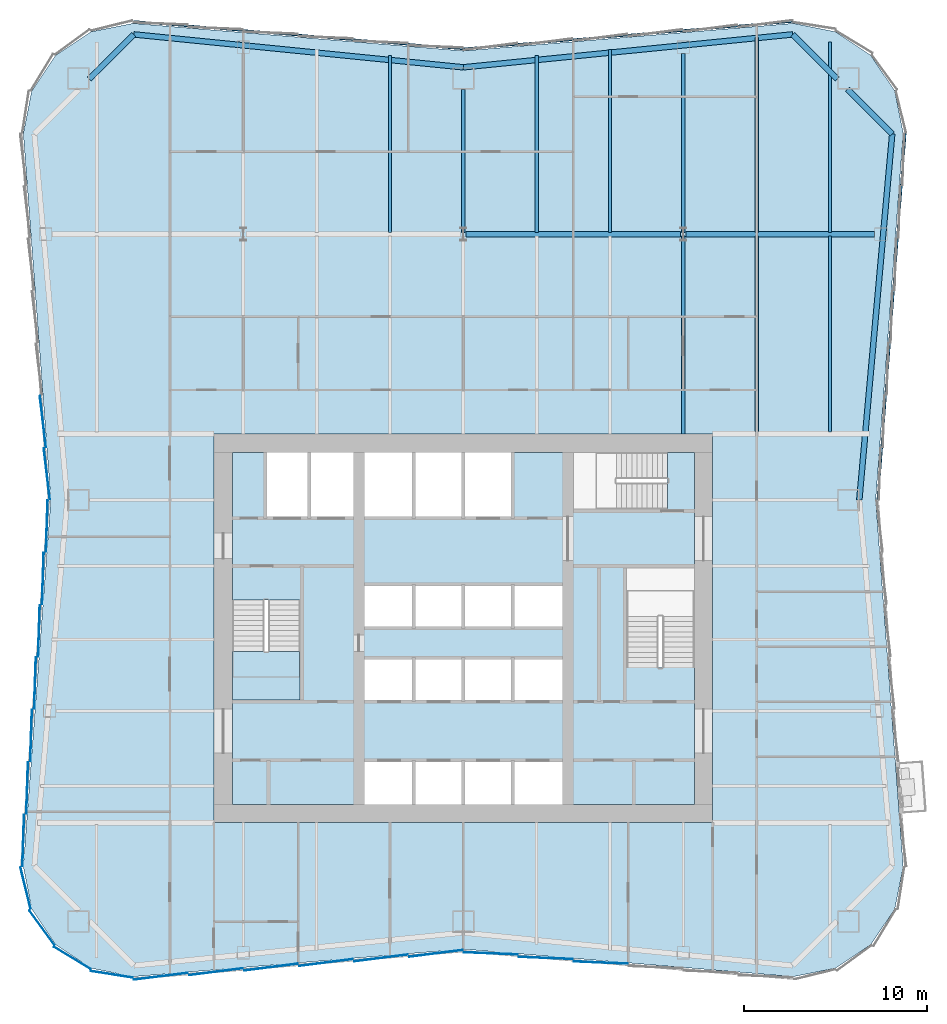
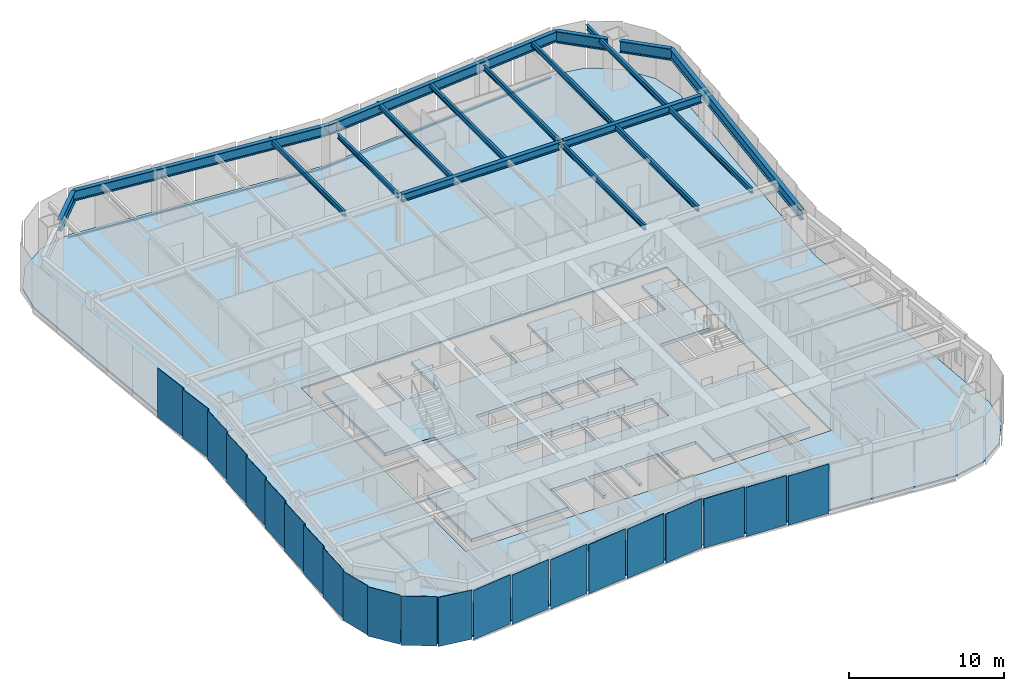
# One storey, part 2 of 9: 22 plates, 18 beams, 3 members, 3 slabs, 6 elements without a shape of their own.
"""IFC4 building model written with IfcOpenShell, lengths in metres."""

from ifc_helpers import new_model, si_unit, direction, frame, origin, origin_2d, place, context, subcontext, project, spatial, polyline, rectangle, i_section, outline, extrude, material, layer, layer_set, material_profile, profile_set, type_object, element, aggregate, save


model = new_model("IFC4")

# Units and contexts
model_context = context("Model", 3, precision=1e-05, world=origin(), true_north=direction((0.0, 1.0)))
body_context = subcontext(model_context, "Body", "Model", "MODEL_VIEW")
ifc_project = project(units=[si_unit("LENGTHUNIT", "METRE"), si_unit("AREAUNIT", "SQUARE_METRE"), si_unit("VOLUMEUNIT", "CUBIC_METRE"), si_unit("PLANEANGLEUNIT", "RADIAN"), si_unit("MASSUNIT", "GRAM", prefix="KILO")], contexts=[model_context])

# Site, building, storey
site_placement = place(None, origin())
site = spatial("IfcSite", under=ifc_project, at=site_placement, CompositionType="ELEMENT")
building_placement = place(site_placement, origin())
building = spatial("IfcBuilding", under=site, at=building_placement, Name="Verdant Reach Tower", CompositionType="ELEMENT")
storey_placement = place(building_placement, frame((0.0, 0.0, 142.0)))
storey = spatial("IfcBuildingStorey", under=building, at=storey_placement, Name="L32", CompositionType="ELEMENT", Elevation=142.0)

# Curtain wall, member
ifc_material_1 = material(Name="Anodised aluminium", Category="aluminium")
curtain_wall_type = type_object("IfcCurtainWallType", Name="EN-CW SYSTEM Z2", PredefinedType="NOTDEFINED", material=ifc_material_1)
curtain_wall_1_placement = place(storey_placement, origin())
curtain_wall_1 = element("IfcCurtainWall", 1, at=curtain_wall_1_placement, inside=storey, type_object=curtain_wall_type, Name="Curtain wall east, L32", PredefinedType="NOTDEFINED")
ifc_material_profile_1 = material_profile(ifc_material_1, rectangle(XDim=0.10009765625, YDim=0.1240234375, at=origin_2d()), Name="Transom 124x100")
ifc_profile_set_1 = profile_set([ifc_material_profile_1], Name="Anodised aluminium")
member_type = type_object("IfcMemberType", Name="EN-TRANSOM Z2", PredefinedType="USERDEFINED", material=ifc_profile_set_1)
member_1_placement = place(storey_placement, frame((22.6083984375, 35.031982421875, -0.2880859375), z_axis=(0.07476111665, 0.997201471839, 0.0), x_axis=(-0.997201471839, 0.07476111665, 0.0)))
member_1 = element("IfcMember", 2, at=member_1_placement, type_object=member_type, Name="Transom east face part 2 1.1, L32", ObjectType="TRANSOM", PredefinedType="USERDEFINED", context=body_context, shape_type="SweptSolid", body=[
    extrude(rectangle(XDim=0.10009765625, YDim=0.1240234375, at=origin_2d()), origin(), (0.0, 0.0, 1.0), 19.99853515625),
])
aggregate(curtain_wall_1, [member_1])

# Curtain wall, members
curtain_wall_2_placement = place(storey_placement, origin())
curtain_wall_2 = element("IfcCurtainWall", 3, at=curtain_wall_2_placement, inside=storey, type_object=curtain_wall_type, Name="Curtain wall north, L32", PredefinedType="NOTDEFINED")
member_2_placement = place(storey_placement, frame((17.97412109375, 61.103271484375, -0.2880859375), z_axis=(-0.996548282776, -0.083015179915, 0.0), x_axis=(0.083015179915, -0.996548282776, 0.0)))
member_2 = element("IfcMember", 4, at=member_2_placement, type_object=member_type, Name="Transom north face part 1 1.1, L32", ObjectType="TRANSOM", PredefinedType="USERDEFINED", context=body_context, shape_type="SweptSolid", body=[
    extrude(rectangle(XDim=0.10009765625, YDim=0.1240234375, at=origin_2d()), origin(), (0.0, 0.0, 1.0), 18.00439453125),
])
member_3_placement = place(storey_placement, frame((-0.031982421875, 59.608642578125, -0.2880859375), z_axis=(-0.996548282776, 0.083015179915, 0.0), x_axis=(-0.083015179915, -0.996548282776, 0.0)))
member_3 = element("IfcMember", 5, at=member_3_placement, type_object=member_type, Name="Transom north face part 2 1.1, L32", ObjectType="TRANSOM", PredefinedType="USERDEFINED", context=body_context, shape_type="SweptSolid", body=[
    extrude(rectangle(XDim=0.10009765625, YDim=0.1240234375, at=origin_2d()), origin(), (0.0, 0.0, 1.0), 18.00439453125),
])
aggregate(curtain_wall_2, [member_2, member_3])

# Beams
ifc_material_2 = material(Name="Steel S355", Category="steel")
ifc_material_profile_2 = material_profile(ifc_material_2, i_section(OverallWidth=0.300048828125, OverallDepth=0.60009765625, WebThickness=0.015380859375, FlangeThickness=0.030029296875, FilletRadius=0.027099609375, at=origin_2d()), Name="HEB 600")
ifc_profile_set_2 = profile_set([ifc_material_profile_2], Name="Steel S355")
beam_type_1 = type_object("IfcBeamType", Name="ST-BEAM-HEB600", PredefinedType="BEAM", material=ifc_profile_set_2)
beam_1_placement = place(storey_placement, frame((0.154052734375, 49.5, 3.570068359375), z_axis=(1.0, 0.0, 0.0), x_axis=(0.0, 1.0, 0.0)))
element("IfcBeam", 6, at=beam_1_placement, inside=storey, type_object=beam_type_1, Name="Row girder, L32", PredefinedType="BEAM", context=body_context, shape_type="SweptSolid", body=[
    extrude(i_section(OverallWidth=0.300048828125, OverallDepth=0.60009765625, WebThickness=0.015380859375, FlangeThickness=0.030029296875, FilletRadius=0.027099609375, at=origin_2d()), origin(), (0.0, 0.0, 1.0), 11.69189453125),
])
beam_2_placement = place(storey_placement, frame((12.154052734375, 49.5, 3.570068359375), z_axis=(1.0, 0.0, 0.0), x_axis=(0.0, 1.0, 0.0)))
element("IfcBeam", 7, at=beam_2_placement, inside=storey, type_object=beam_type_1, Name="Row girder, L32", PredefinedType="BEAM", context=body_context, shape_type="SweptSolid", body=[
    extrude(i_section(OverallWidth=0.300048828125, OverallDepth=0.60009765625, WebThickness=0.015380859375, FlangeThickness=0.030029296875, FilletRadius=0.027099609375, at=origin_2d()), origin(), (0.0, 0.0, 1.0), 10.283447265625),
])
ifc_material_profile_3 = material_profile(ifc_material_2, i_section(OverallWidth=0.169921875, OverallDepth=0.360107421875, WebThickness=0.008056640625, FlangeThickness=0.0126953125, FilletRadius=0.01806640625, at=origin_2d()), Name="IPE 360")
ifc_profile_set_3 = profile_set([ifc_material_profile_3], Name="Steel S355")
beam_type_2 = type_object("IfcBeamType", Name="ST-JOIST-IPE360", PredefinedType="JOIST", material=ifc_profile_set_3)
beam_3_placement = place(storey_placement, frame((0.0, 49.60009765625, 3.68994140625), z_axis=(0.0, 1.0, 0.0), x_axis=(-1.0, 0.0, 0.0)))
element("IfcBeam", 8, at=beam_3_placement, inside=storey, type_object=beam_type_2, Name="Floor joist, L32", PredefinedType="JOIST", context=body_context, shape_type="SweptSolid", body=[
    extrude(i_section(OverallWidth=0.169921875, OverallDepth=0.360107421875, WebThickness=0.008056640625, FlangeThickness=0.0126953125, FilletRadius=0.01806640625, at=origin_2d()), origin(), (0.0, 0.0, 1.0), 7.7998046875),
])
ifc_material_profile_4 = material_profile(ifc_material_2, i_section(OverallWidth=0.179931640625, OverallDepth=0.39990234375, WebThickness=0.008544921875, FlangeThickness=0.013427734375, FilletRadius=0.02099609375, at=origin_2d()), Name="IPE 400")
ifc_profile_set_4 = profile_set([ifc_material_profile_4], Name="Steel S355")
beam_type_3 = type_object("IfcBeamType", Name="ST-JOIST-IPE400", PredefinedType="JOIST", material=ifc_profile_set_4)
for number, where, z_axis, x_axis, name in (
    (9, (-4.0, 49.60009765625, 3.669921875), (0.0, 1.0, 0.0), (-1.0, 0.0, 0.0), "Floor joist, L32"),
    (10, (4.0, 49.60009765625, 3.669921875), (0.0, 1.0, 0.0), (-1.0, 0.0, 0.0), "Floor joist, L32"),
):
    element("IfcBeam", number, at=place(storey_placement, frame(where, z_axis=z_axis, x_axis=x_axis)), inside=storey, type_object=beam_type_3, Name=name, PredefinedType="JOIST", context=body_context, shape_type="SweptSolid", body=[
        extrude(i_section(OverallWidth=0.179931640625, OverallDepth=0.39990234375, WebThickness=0.008544921875, FlangeThickness=0.013427734375, FilletRadius=0.02099609375, at=origin_2d()), origin(), (0.0, 0.0, 1.0), 9.631103515625),
    ])
beam_4_placement = place(storey_placement, frame((8.0, 49.60009765625, 3.669921875), z_axis=(0.0, 1.0, 0.0), x_axis=(-1.0, 0.0, 0.0)))
element("IfcBeam", 11, at=beam_4_placement, inside=storey, type_object=beam_type_3, Name="Floor joist, L32", PredefinedType="JOIST", context=body_context, shape_type="SweptSolid", body=[
    extrude(i_section(OverallWidth=0.179931640625, OverallDepth=0.39990234375, WebThickness=0.008544921875, FlangeThickness=0.013427734375, FilletRadius=0.02099609375, at=origin_2d()), origin(), (0.0, 0.0, 1.0), 9.964599609375),
])
beam_5_placement = place(storey_placement, frame((12.0, 38.60009765625, 3.669921875), z_axis=(0.0, 1.0, 0.0), x_axis=(-1.0, 0.0, 0.0)))
element("IfcBeam", 12, at=beam_5_placement, inside=storey, type_object=beam_type_3, Name="Floor joist, L32", PredefinedType="JOIST", context=body_context, shape_type="SweptSolid", body=[
    extrude(i_section(OverallWidth=0.179931640625, OverallDepth=0.39990234375, WebThickness=0.008544921875, FlangeThickness=0.013427734375, FilletRadius=0.02099609375, at=origin_2d()), origin(), (0.0, 0.0, 1.0), 10.7998046875),
])
beam_6_placement = place(storey_placement, frame((12.0, 49.60009765625, 3.669921875), z_axis=(0.0, 1.0, 0.0), x_axis=(-1.0, 0.0, 0.0)))
element("IfcBeam", 13, at=beam_6_placement, inside=storey, type_object=beam_type_3, Name="Floor joist, L32", PredefinedType="JOIST", context=body_context, shape_type="SweptSolid", body=[
    extrude(i_section(OverallWidth=0.179931640625, OverallDepth=0.39990234375, WebThickness=0.008544921875, FlangeThickness=0.013427734375, FilletRadius=0.02099609375, at=origin_2d()), origin(), (0.0, 0.0, 1.0), 9.75),
])
beam_7_placement = place(storey_placement, frame((16.0, 38.699951171875, 3.669921875), z_axis=(0.0, 1.0, 0.0), x_axis=(-1.0, 0.0, 0.0)))
element("IfcBeam", 14, at=beam_7_placement, inside=storey, type_object=beam_type_3, Name="Floor joist, L32", PredefinedType="JOIST", context=body_context, shape_type="SweptSolid", body=[
    extrude(i_section(OverallWidth=0.179931640625, OverallDepth=0.39990234375, WebThickness=0.008544921875, FlangeThickness=0.013427734375, FilletRadius=0.02099609375, at=origin_2d()), origin(), (0.0, 0.0, 1.0), 10.699951171875),
])
beam_8_placement = place(storey_placement, frame((16.0, 49.60009765625, 3.669921875), z_axis=(0.0, 1.0, 0.0), x_axis=(-1.0, 0.0, 0.0)))
element("IfcBeam", 15, at=beam_8_placement, inside=storey, type_object=beam_type_3, Name="Floor joist, L32", PredefinedType="JOIST", context=body_context, shape_type="SweptSolid", body=[
    extrude(i_section(OverallWidth=0.179931640625, OverallDepth=0.39990234375, WebThickness=0.008544921875, FlangeThickness=0.013427734375, FilletRadius=0.02099609375, at=origin_2d()), origin(), (0.0, 0.0, 1.0), 10.631103515625),
])
beam_9_placement = place(storey_placement, frame((20.0, 38.699951171875, 3.669921875), z_axis=(0.0, 1.0, 0.0), x_axis=(-1.0, 0.0, 0.0)))
element("IfcBeam", 16, at=beam_9_placement, inside=storey, type_object=beam_type_3, Name="Floor joist, L32", PredefinedType="JOIST", context=body_context, shape_type="SweptSolid", body=[
    extrude(i_section(OverallWidth=0.179931640625, OverallDepth=0.39990234375, WebThickness=0.008544921875, FlangeThickness=0.013427734375, FilletRadius=0.02099609375, at=origin_2d()), origin(), (0.0, 0.0, 1.0), 10.699951171875),
])
beam_10_placement = place(storey_placement, frame((20.0, 49.60009765625, 3.669921875), z_axis=(0.0, 1.0, 0.0), x_axis=(-1.0, 0.0, 0.0)))
element("IfcBeam", 17, at=beam_10_placement, inside=storey, type_object=beam_type_3, Name="Floor joist, L32", PredefinedType="JOIST", context=body_context, shape_type="SweptSolid", body=[
    extrude(i_section(OverallWidth=0.179931640625, OverallDepth=0.39990234375, WebThickness=0.008544921875, FlangeThickness=0.013427734375, FilletRadius=0.02099609375, at=origin_2d()), origin(), (0.0, 0.0, 1.0), 10.390380859375),
])
ifc_material_profile_5 = material_profile(ifc_material_2, i_section(OverallWidth=0.300048828125, OverallDepth=0.800048828125, WebThickness=0.017578125, FlangeThickness=0.032958984375, FilletRadius=0.030029296875, at=origin_2d()), Name="HEB 800")
ifc_profile_set_5 = profile_set([ifc_material_profile_5], Name="Steel S355")
beam_type_4 = type_object("IfcBeamType", Name="ST-SPANDREL-HEB800", PredefinedType="SPANDREL", material=ifc_profile_set_5)
for number, where, z_axis, x_axis, name in (
    (18, (-17.9658203125, 60.39501953125, 3.469970703125), (0.995046289869, -0.099412680371, 0.0), (0.099412680371, 0.995046289869, 0.0), "Edge beam, L32"),
    (19, (0.0, 58.60009765625, 3.469970703125), (0.995046289869, 0.099412680371, 0.0), (-0.099412680371, 0.995046289869, 0.0), "Edge beam, L32"),
):
    element("IfcBeam", number, at=place(storey_placement, frame(where, z_axis=z_axis, x_axis=x_axis)), inside=storey, type_object=beam_type_4, Name=name, PredefinedType="SPANDREL", context=body_context, shape_type="SweptSolid", body=[
        extrude(i_section(OverallWidth=0.300048828125, OverallDepth=0.800048828125, WebThickness=0.017578125, FlangeThickness=0.032958984375, FilletRadius=0.030029296875, at=origin_2d()), origin(), (0.0, 0.0, 1.0), 18.05517578125),
    ])
beam_11_placement = place(storey_placement, frame((23.3955078125, 54.963134765625, 3.469970703125), z_axis=(-0.089574749266, -0.995980102358, 0.0), x_axis=(0.995980102358, -0.089574749266, 0.0)))
element("IfcBeam", 20, at=beam_11_placement, inside=storey, type_object=beam_type_4, Name="Edge beam, L32", PredefinedType="SPANDREL", context=body_context, shape_type="SweptSolid", body=[
    extrude(i_section(OverallWidth=0.300048828125, OverallDepth=0.800048828125, WebThickness=0.017578125, FlangeThickness=0.032958984375, FilletRadius=0.030029296875, at=origin_2d()), origin(), (0.0, 0.0, 1.0), 20.043701171875),
])
ifc_material_profile_6 = material_profile(ifc_material_2, i_section(OverallWidth=0.302001953125, OverallDepth=0.909912109375, WebThickness=0.02099609375, FlangeThickness=0.0400390625, FilletRadius=0.030029296875, at=origin_2d()), Name="HEM 900")
ifc_profile_set_6 = profile_set([ifc_material_profile_6], Name="Steel S355")
beam_type_5 = type_object("IfcBeamType", Name="ST-SPANDREL-HEM900", PredefinedType="SPANDREL", material=ifc_profile_set_6)
for number, where, z_axis, x_axis, name in (
    (21, (-20.39990234375, 57.9599609375, 3.4150390625), (0.70696494852, 0.70724858541, 0.0), (-0.70724858541, 0.70696494852, 0.0), "Edge beam, L32"),
    (22, (17.9658203125, 60.39501953125, 3.4150390625), (0.70696494852, -0.70724858541, 0.0), (0.70724858541, 0.70696494852, 0.0), "Edge beam, L32"),
):
    element("IfcBeam", number, at=place(storey_placement, frame(where, z_axis=z_axis, x_axis=x_axis)), inside=storey, type_object=beam_type_5, Name=name, PredefinedType="SPANDREL", context=body_context, shape_type="SweptSolid", body=[
        extrude(i_section(OverallWidth=0.302001953125, OverallDepth=0.909912109375, WebThickness=0.02099609375, FlangeThickness=0.0400390625, FilletRadius=0.030029296875, at=origin_2d()), origin(), (0.0, 0.0, 1.0), 3.443115234375),
    ])
beam_12_placement = place(storey_placement, frame((20.959716796875, 57.39990234375, 3.4150390625), z_axis=(0.706965048022, -0.707248485948, 0.0), x_axis=(0.707248485948, 0.706965048022, 0.0)))
element("IfcBeam", 23, at=beam_12_placement, inside=storey, type_object=beam_type_5, Name="Edge beam, L32", PredefinedType="SPANDREL", context=body_context, shape_type="SweptSolid", body=[
    extrude(i_section(OverallWidth=0.302001953125, OverallDepth=0.909912109375, WebThickness=0.02099609375, FlangeThickness=0.0400390625, FilletRadius=0.030029296875, at=origin_2d()), origin(), (0.0, 0.0, 1.0), 3.4453125),
])

# Stair, slab
ifc_material_3 = material(Name="Concrete C40/50", Category="concrete")
stair_type = type_object("IfcStairType", Name="CO-STAIR", PredefinedType="HALF_TURN_STAIR", material=ifc_material_3)
stair_placement = place(storey_placement, origin())
stair = element("IfcStair", 24, at=stair_placement, inside=storey, type_object=stair_type, Name="L32 Exit stair 1", PredefinedType="HALF_TURN_STAIR")
ifc_layer_1 = layer(ifc_material_3, 0.199951171875)
ifc_layer_set_1 = layer_set([ifc_layer_1], Name="CO-STAIR-LANDING")
slab_type_1 = type_object("IfcSlabType", Name="CO-STAIR-LANDING", PredefinedType="LANDING", material=ifc_layer_set_1)
slab_1_placement = place(storey_placement, frame((0.0, 0.0, 1.800048828125)))
slab_1 = element("IfcSlab", 25, at=slab_1_placement, type_object=slab_type_1, Name="ST-1 landing 1", PredefinedType="LANDING", context=body_context, shape_type="SweptSolid", body=[
    extrude(outline(polyline([(-12.60009765625, 26.75), (-12.60009765625, 24.10009765625), (-8.89990234375, 24.10009765625), (-8.89990234375, 26.75), (-12.60009765625, 26.75)])), origin(), (0.0, 0.0, 1.0), 0.199951171875),
])
aggregate(stair, [slab_1])

# Curtain wall, plates
curtain_wall_3_placement = place(storey_placement, origin())
curtain_wall_3 = element("IfcCurtainWall", 26, at=curtain_wall_3_placement, inside=storey, type_object=curtain_wall_type, Name="Curtain wall west, L32", PredefinedType="NOTDEFINED")
ifc_material_4 = material(Name="Tinted glass with champagne spandrel", Category="glass")
ifc_layer_2 = layer(ifc_material_4, 0.031982421875)
ifc_layer_set_2 = layer_set([ifc_layer_2], Name="EN-PANEL CHAMPAGNE")
plate_type_1 = type_object("IfcPlateType", Name="EN-PANEL CHAMPAGNE", PredefinedType="CURTAIN_PANEL", material=ifc_layer_set_2)
plate_1_placement = place(storey_placement, frame((-22.92724609375, 39.27783203125, -0.22607421875), z_axis=(0.0, 0.0, 1.0), x_axis=(0.116482717753, -0.993192718693, 0.0)))
plate_1 = element("IfcPlate", 27, at=plate_1_placement, type_object=plate_type_1, Name="Glass panel west face part 1 6.1, L32", PredefinedType="CURTAIN_PANEL", context=body_context, shape_type="SweptSolid", body=[
    extrude(rectangle(XDim=2.80517578125, YDim=0.031982421875, at=origin_2d()), origin(), (0.0, 0.0, 1.0), 3.8759765625),
])
plate_2_placement = place(storey_placement, frame((-22.712890625, 36.424560546875, -0.22607421875), z_axis=(0.0, 0.0, 1.0), x_axis=(0.116585911919, -0.993180610535, 0.0)))
plate_2 = element("IfcPlate", 28, at=plate_2_placement, type_object=plate_type_1, Name="Glass panel west face part 1 7.1, L32", PredefinedType="CURTAIN_PANEL", context=body_context, shape_type="SweptSolid", body=[
    extrude(rectangle(XDim=2.797119140625, YDim=0.031982421875, at=origin_2d()), origin(), (0.0, 0.0, 1.0), 3.8759765625),
])
plate_3_placement = place(storey_placement, frame((-22.712890625, 33.575439453125, -0.22607421875), z_axis=(0.0, 0.0, 1.0), x_axis=(-0.033069817188, -0.999453044015, 0.0)))
plate_3 = element("IfcPlate", 29, at=plate_3_placement, type_object=plate_type_1, Name="Glass panel west face part 2 1.1, L32", PredefinedType="CURTAIN_PANEL", context=body_context, shape_type="SweptSolid", body=[
    extrude(rectangle(XDim=2.797119140625, YDim=0.031982421875, at=origin_2d()), origin(), (0.0, 0.0, 1.0), 3.8759765625),
])
plate_4_placement = place(storey_placement, frame((-23.99853515625, 16.42919921875, -0.22607421875), z_axis=(0.0, 0.0, 1.0), x_axis=(-0.032628234484, -0.99946755741, 0.0)))
plate_4 = element("IfcPlate", 30, at=plate_4_placement, type_object=plate_type_1, Name="Glass panel west face part 2 7.1, L32", PredefinedType="CURTAIN_PANEL", context=body_context, shape_type="SweptSolid", body=[
    extrude(rectangle(XDim=2.819580078125, YDim=0.031982421875, at=origin_2d()), origin(), (0.0, 0.0, 1.0), 3.8759765625),
])

curtain_wall_4_placement = place(storey_placement, origin())
curtain_wall_4 = element("IfcCurtainWall", 31, at=curtain_wall_4_placement, inside=storey, type_object=curtain_wall_type, Name="Curtain wall south, L32", PredefinedType="NOTDEFINED")
plate_5_placement = place(storey_placement, frame((-10.4912109375, 9.519287109375, -0.22607421875), z_axis=(0.0, 0.0, 1.0), x_axis=(0.992194034542, 0.124703639961, 0.0)))
plate_5 = element("IfcPlate", 32, at=plate_5_placement, type_object=plate_type_1, Name="Glass panel south face part 1 3.1, L32", PredefinedType="CURTAIN_PANEL", context=body_context, shape_type="SweptSolid", body=[
    extrude(rectangle(XDim=2.950439453125, YDim=0.031982421875, at=origin_2d()), origin(), (0.0, 0.0, 1.0), 3.8759765625),
])
plate_6_placement = place(storey_placement, frame((-7.4912109375, 9.769287109375, -0.22607421875), z_axis=(0.0, 0.0, 1.0), x_axis=(0.992194034542, 0.124703639961, 0.0)))
plate_6 = element("IfcPlate", 33, at=plate_6_placement, type_object=plate_type_1, Name="Glass panel south face part 1 4.1, L32", PredefinedType="CURTAIN_PANEL", context=body_context, shape_type="SweptSolid", body=[
    extrude(rectangle(XDim=2.950439453125, YDim=0.031982421875, at=origin_2d()), origin(), (0.0, 0.0, 1.0), 3.8759765625),
])
plate_7_placement = place(storey_placement, frame((-4.4912109375, 10.019287109375, -0.22607421875), z_axis=(0.0, 0.0, 1.0), x_axis=(0.992194034542, 0.124703639961, 0.0)))
plate_7 = element("IfcPlate", 34, at=plate_7_placement, type_object=plate_type_1, Name="Glass panel south face part 1 5.1, L32", PredefinedType="CURTAIN_PANEL", context=body_context, shape_type="SweptSolid", body=[
    extrude(rectangle(XDim=2.950439453125, YDim=0.031982421875, at=origin_2d()), origin(), (0.0, 0.0, 1.0), 3.8759765625),
])

# Plate
ifc_material_5 = material(Name="Tinted glass with copper spandrel", Category="glass")
ifc_layer_3 = layer(ifc_material_5, 0.031982421875)
ifc_layer_set_3 = layer_set([ifc_layer_3], Name="EN-PANEL COPPER")
plate_type_2 = type_object("IfcPlateType", Name="EN-PANEL COPPER", PredefinedType="CURTAIN_PANEL", material=ifc_layer_set_3)
plate_8_placement = place(storey_placement, frame((-22.92724609375, 30.72216796875, -0.22607421875), z_axis=(0.0, 0.0, 1.0), x_axis=(-0.032965971753, -0.999456474643, 0.0)))
plate_8 = element("IfcPlate", 35, at=plate_8_placement, type_object=plate_type_2, Name="Glass panel west face part 2 2.1, L32", PredefinedType="CURTAIN_PANEL", context=body_context, shape_type="SweptSolid", body=[
    extrude(rectangle(XDim=2.80517578125, YDim=0.031982421875, at=origin_2d()), origin(), (0.0, 0.0, 1.0), 3.8759765625),
])

plate_9_placement = place(storey_placement, frame((-23.141357421875, 27.864990234375, -0.22607421875), z_axis=(0.0, 0.0, 1.0), x_axis=(-0.032965971753, -0.999456474643, 0.0)))
plate_9 = element("IfcPlate", 36, at=plate_9_placement, type_object=plate_type_2, Name="Glass panel west face part 2 3.1, L32", PredefinedType="CURTAIN_PANEL", context=body_context, shape_type="SweptSolid", body=[
    extrude(rectangle(XDim=2.80517578125, YDim=0.031982421875, at=origin_2d()), origin(), (0.0, 0.0, 1.0), 3.8759765625),
])

plate_10_placement = place(storey_placement, frame((-23.355712890625, 25.0078125, -0.22607421875), z_axis=(0.0, 0.0, 1.0), x_axis=(-0.032965971753, -0.999456474643, 0.0)))
plate_10 = element("IfcPlate", 37, at=plate_10_placement, type_object=plate_type_2, Name="Glass panel west face part 2 4.1, L32", PredefinedType="CURTAIN_PANEL", context=body_context, shape_type="SweptSolid", body=[
    extrude(rectangle(XDim=2.80517578125, YDim=0.031982421875, at=origin_2d()), origin(), (0.0, 0.0, 1.0), 3.8759765625),
])

# Curtain wall, plates
curtain_wall_5_placement = place(storey_placement, origin())
curtain_wall_5 = element("IfcCurtainWall", 38, at=curtain_wall_5_placement, inside=storey, type_object=curtain_wall_type, Name="Curtain wall south-west corner, L32", PredefinedType="NOTDEFINED")
plate_11_placement = place(storey_placement, frame((-23.87353515625, 13.828369140625, -0.22607421875), z_axis=(0.0, 0.0, 1.0), x_axis=(0.236416170006, -0.971651889598, 0.0)))
plate_11 = element("IfcPlate", 39, at=plate_11_placement, type_object=plate_type_2, Name="Glass panel south-west corner 1.1, L32", PredefinedType="CURTAIN_PANEL", context=body_context, shape_type="SweptSolid", body=[
    extrude(rectangle(XDim=2.316162109375, YDim=0.031982421875, at=origin_2d()), origin(), (0.0, 0.0, 1.0), 3.8759765625),
])
plate_12_placement = place(storey_placement, frame((-22.9794921875, 11.6728515625, -0.22607421875), z_axis=(0.0, 0.0, 1.0), x_axis=(0.589926757843, -0.807456760688, 0.0)))
plate_12 = element("IfcPlate", 40, at=plate_12_placement, type_object=plate_type_2, Name="Glass panel south-west corner 2.1, L32", PredefinedType="CURTAIN_PANEL", context=body_context, shape_type="SweptSolid", body=[
    extrude(rectangle(XDim=2.322509765625, YDim=0.031982421875, at=origin_2d()), origin(), (0.0, 0.0, 1.0), 3.8759765625),
])

# Plate
plate_13_placement = place(storey_placement, frame((-1.49560546875, 10.269287109375, -0.22607421875), z_axis=(0.0, 0.0, 1.0), x_axis=(0.992178815188, 0.12482467181, 0.0)))
plate_13 = element("IfcPlate", 41, at=plate_13_placement, type_object=plate_type_2, Name="Glass panel south face part 1 6.1, L32", PredefinedType="CURTAIN_PANEL", context=body_context, shape_type="SweptSolid", body=[
    extrude(rectangle(XDim=2.941650390625, YDim=0.031982421875, at=origin_2d()), origin(), (0.0, 0.0, 1.0), 3.8759765625),
])

plate_14_placement = place(storey_placement, frame((1.49560546875, 10.269287109375, -0.22607421875), z_axis=(0.0, 0.0, 1.0), x_axis=(0.999144163765, -0.041363510662, 0.0)))
plate_14 = element("IfcPlate", 42, at=plate_14_placement, type_object=plate_type_2, Name="Glass panel south face part 2 1.1, L32", PredefinedType="CURTAIN_PANEL", context=body_context, shape_type="SweptSolid", body=[
    extrude(rectangle(XDim=2.941650390625, YDim=0.031982421875, at=origin_2d()), origin(), (0.0, 0.0, 1.0), 3.8759765625),
])

ifc_material_6 = material(Name="Tinted glass with dark bronze spandrel", Category="glass")
ifc_layer_4 = layer(ifc_material_6, 0.031982421875)
ifc_layer_set_4 = layer_set([ifc_layer_4], Name="EN-PANEL DARK")
plate_type_3 = type_object("IfcPlateType", Name="EN-PANEL DARK", PredefinedType="CURTAIN_PANEL", material=ifc_layer_set_4)
plate_15_placement = place(storey_placement, frame((-23.570068359375, 22.15087890625, -0.22607421875), z_axis=(0.0, 0.0, 1.0), x_axis=(-0.032965971753, -0.999456474643, 0.0)))
plate_15 = element("IfcPlate", 43, at=plate_15_placement, type_object=plate_type_3, Name="Glass panel west face part 2 5.1, L32", PredefinedType="CURTAIN_PANEL", context=body_context, shape_type="SweptSolid", body=[
    extrude(rectangle(XDim=2.80517578125, YDim=0.031982421875, at=origin_2d()), origin(), (0.0, 0.0, 1.0), 3.8759765625),
])

plate_16_placement = place(storey_placement, frame((-23.7841796875, 19.293701171875, -0.22607421875), z_axis=(0.0, 0.0, 1.0), x_axis=(-0.032965971753, -0.999456474643, 0.0)))
plate_16 = element("IfcPlate", 44, at=plate_16_placement, type_object=plate_type_3, Name="Glass panel west face part 2 6.1, L32", PredefinedType="CURTAIN_PANEL", context=body_context, shape_type="SweptSolid", body=[
    extrude(rectangle(XDim=2.80517578125, YDim=0.031982421875, at=origin_2d()), origin(), (0.0, 0.0, 1.0), 3.8759765625),
])

aggregate(curtain_wall_3, [plate_1, plate_2, plate_3, plate_8, plate_9, plate_10, plate_15, plate_16, plate_4])

plate_17_placement = place(storey_placement, frame((-21.3271484375, 10.0205078125, -0.22607421875), z_axis=(0.0, 0.0, 1.0), x_axis=(0.853988694998, -0.520291561353, 0.0)))
plate_17 = element("IfcPlate", 45, at=plate_17_placement, type_object=plate_type_3, Name="Glass panel south-west corner 3.1, L32", PredefinedType="CURTAIN_PANEL", context=body_context, shape_type="SweptSolid", body=[
    extrude(rectangle(XDim=2.322509765625, YDim=0.031982421875, at=origin_2d()), origin(), (0.0, 0.0, 1.0), 3.8759765625),
])

plate_18_placement = place(storey_placement, frame((-19.17138671875, 9.12646484375, -0.22607421875), z_axis=(0.0, 0.0, 1.0), x_axis=(0.988030887576, -0.154256167447, 0.0)))
plate_18 = element("IfcPlate", 46, at=plate_18_placement, type_object=plate_type_3, Name="Glass panel south-west corner 4.1, L32", PredefinedType="CURTAIN_PANEL", context=body_context, shape_type="SweptSolid", body=[
    extrude(rectangle(XDim=2.31640625, YDim=0.031982421875, at=origin_2d()), origin(), (0.0, 0.0, 1.0), 3.8759765625),
])

aggregate(curtain_wall_5, [plate_11, plate_12, plate_17, plate_18])

plate_19_placement = place(storey_placement, frame((-16.49853515625, 9.019287109375, -0.22607421875), z_axis=(0.0, 0.0, 1.0), x_axis=(0.992236570309, 0.124364739946, 0.0)))
plate_19 = element("IfcPlate", 47, at=plate_19_placement, type_object=plate_type_3, Name="Glass panel south face part 1 1.1, L32", PredefinedType="CURTAIN_PANEL", context=body_context, shape_type="SweptSolid", body=[
    extrude(rectangle(XDim=2.965087890625, YDim=0.031982421875, at=origin_2d()), origin(), (0.0, 0.0, 1.0), 3.8759765625),
])

plate_20_placement = place(storey_placement, frame((-13.4912109375, 9.269287109375, -0.22607421875), z_axis=(0.0, 0.0, 1.0), x_axis=(0.992194034542, 0.124703639961, 0.0)))
plate_20 = element("IfcPlate", 48, at=plate_20_placement, type_object=plate_type_3, Name="Glass panel south face part 1 2.1, L32", PredefinedType="CURTAIN_PANEL", context=body_context, shape_type="SweptSolid", body=[
    extrude(rectangle(XDim=2.950439453125, YDim=0.031982421875, at=origin_2d()), origin(), (0.0, 0.0, 1.0), 3.8759765625),
])

plate_21_placement = place(storey_placement, frame((4.4912109375, 10.019287109375, -0.22607421875), z_axis=(0.0, 0.0, 1.0), x_axis=(0.999149202059, -0.041241629766, 0.0)))
plate_21 = element("IfcPlate", 49, at=plate_21_placement, type_object=plate_type_3, Name="Glass panel south face part 2 2.1, L32", PredefinedType="CURTAIN_PANEL", context=body_context, shape_type="SweptSolid", body=[
    extrude(rectangle(XDim=2.950439453125, YDim=0.031982421875, at=origin_2d()), origin(), (0.0, 0.0, 1.0), 3.8759765625),
])

plate_22_placement = place(storey_placement, frame((7.4912109375, 9.769287109375, -0.22607421875), z_axis=(0.0, 0.0, 1.0), x_axis=(0.999149202059, -0.041241629766, 0.0)))
plate_22 = element("IfcPlate", 50, at=plate_22_placement, type_object=plate_type_3, Name="Glass panel south face part 2 3.1, L32", PredefinedType="CURTAIN_PANEL", context=body_context, shape_type="SweptSolid", body=[
    extrude(rectangle(XDim=2.950439453125, YDim=0.031982421875, at=origin_2d()), origin(), (0.0, 0.0, 1.0), 3.8759765625),
])

aggregate(curtain_wall_4, [plate_19, plate_20, plate_5, plate_6, plate_7, plate_13, plate_14, plate_21, plate_22])

# Slabs
ifc_material_7 = material(Name="Concrete C35/45", Category="concrete")
ifc_layer_5 = layer(ifc_material_7, 0.1298828125)
ifc_layer_set_5 = layer_set([ifc_layer_5], Name="ST-SLAB-130")
slab_type_2 = type_object("IfcSlabType", Name="ST-SLAB-130", PredefinedType="FLOOR", material=ifc_layer_set_5)
slab_2_placement = place(storey_placement, frame((0.0, 0.0, -0.1298828125)))
element("IfcSlab", 51, at=slab_2_placement, inside=storey, type_object=slab_type_2, Name="Floor slab L32", PredefinedType="FLOOR", context=body_context, shape_type="SweptSolid", body=[
    extrude(outline(polyline([(0.0, 10.5), (-18.0, 9.0), (-20.296142578125, 9.456787109375), (-22.24267578125, 10.75732421875), (-23.543212890625, 12.703857421875), (-24.0, 15.0), (-22.5, 35.0), (-24.0, 55.0), (-23.543212890625, 57.296142578125), (-22.24267578125, 59.24267578125), (-20.296142578125, 60.543212890625), (-18.0, 61.0), (0.0, 59.5), (18.0, 61.0), (20.296142578125, 60.543212890625), (22.24267578125, 59.24267578125), (23.543212890625, 57.296142578125), (24.0, 55.0), (22.5, 35.0), (24.0, 15.0), (23.543212890625, 12.703857421875), (22.24267578125, 10.75732421875), (20.296142578125, 9.456787109375), (18.0, 9.0), (0.0, 10.5)]), holes=[polyline([(13.60009765625, 38.60009765625), (-13.60009765625, 38.60009765625), (-13.60009765625, 17.39990234375), (13.60009765625, 17.39990234375), (13.60009765625, 38.60009765625)])]), origin(), (0.0, 0.0, 1.0), 0.1298828125),
])
ifc_layer_6 = layer(ifc_material_7, 0.25)
ifc_layer_set_6 = layer_set([ifc_layer_6], Name="ST-SLAB-250")
slab_type_3 = type_object("IfcSlabType", Name="ST-SLAB-250", PredefinedType="FLOOR", material=ifc_layer_set_6)
slab_3_placement = place(storey_placement, frame((0.0, 0.0, -0.25)))
element("IfcSlab", 52, at=slab_3_placement, inside=storey, type_object=slab_type_3, Name="Core floor slab L32", PredefinedType="FLOOR", context=body_context, shape_type="SweptSolid", body=[
    extrude(outline(polyline([(12.60009765625, 18.39990234375), (5.39990234375, 18.39990234375), (5.39990234375, 20.699951171875), (2.800048828125, 20.699951171875), (2.800048828125, 18.39990234375), (2.60009765625, 18.39990234375), (2.60009765625, 20.699951171875), (0.10009765625, 20.699951171875), (0.10009765625, 18.39990234375), (-0.10009765625, 18.39990234375), (-0.10009765625, 20.699951171875), (-2.60009765625, 20.699951171875), (-2.60009765625, 18.39990234375), (-2.800048828125, 18.39990234375), (-2.800048828125, 20.699951171875), (-5.39990234375, 20.699951171875), (-5.39990234375, 18.39990234375), (-12.60009765625, 18.39990234375), (-12.60009765625, 24.10009765625), (-8.89990234375, 24.10009765625), (-8.89990234375, 29.548095703125), (-12.60009765625, 29.548095703125), (-12.60009765625, 37.60009765625), (-10.699951171875, 37.60009765625), (-10.699951171875, 34.10009765625), (-8.5, 34.10009765625), (-8.5, 37.60009765625), (-8.300048828125, 37.60009765625), (-8.300048828125, 34.10009765625), (-6.0, 34.10009765625), (-6.0, 37.60009765625), (-5.39990234375, 37.60009765625), (-5.39990234375, 34.10009765625), (-2.800048828125, 34.10009765625), (-2.800048828125, 37.60009765625), (-2.60009765625, 37.60009765625), (-2.60009765625, 34.10009765625), (-0.10009765625, 34.10009765625), (-0.10009765625, 37.60009765625), (0.10009765625, 37.60009765625), (0.10009765625, 34.10009765625), (2.60009765625, 34.10009765625), (2.60009765625, 37.60009765625), (6.0, 37.60009765625), (6.0, 34.5), (11.14794921875, 34.5), (11.14794921875, 37.60009765625), (12.60009765625, 37.60009765625), (12.60009765625, 31.300048828125), (8.89990234375, 31.300048828125), (8.89990234375, 25.85205078125), (12.60009765625, 25.85205078125), (12.60009765625, 18.39990234375)]), holes=[polyline([(-2.800048828125, 24.10009765625), (-2.800048828125, 26.300048828125), (-5.39990234375, 26.300048828125), (-5.39990234375, 24.10009765625), (-2.800048828125, 24.10009765625)]), polyline([(-2.60009765625, 24.10009765625), (-0.10009765625, 24.10009765625), (-0.10009765625, 26.300048828125), (-2.60009765625, 26.300048828125), (-2.60009765625, 24.10009765625)]), polyline([(-2.800048828125, 28.10009765625), (-2.800048828125, 30.300048828125), (-5.39990234375, 30.300048828125), (-5.39990234375, 28.10009765625), (-2.800048828125, 28.10009765625)]), polyline([(-0.10009765625, 28.10009765625), (-0.10009765625, 30.300048828125), (-2.60009765625, 30.300048828125), (-2.60009765625, 28.10009765625), (-0.10009765625, 28.10009765625)]), polyline([(2.60009765625, 24.10009765625), (2.60009765625, 26.300048828125), (0.10009765625, 26.300048828125), (0.10009765625, 24.10009765625), (2.60009765625, 24.10009765625)]), polyline([(2.800048828125, 24.10009765625), (5.39990234375, 24.10009765625), (5.39990234375, 26.300048828125), (2.800048828125, 26.300048828125), (2.800048828125, 24.10009765625)]), polyline([(2.60009765625, 28.10009765625), (2.60009765625, 30.300048828125), (0.10009765625, 30.300048828125), (0.10009765625, 28.10009765625), (2.60009765625, 28.10009765625)]), polyline([(5.39990234375, 28.10009765625), (5.39990234375, 30.300048828125), (2.800048828125, 30.300048828125), (2.800048828125, 28.10009765625), (5.39990234375, 28.10009765625)])]), origin(), (0.0, 0.0, 1.0), 0.25),
])

save(model, "model.ifc")
